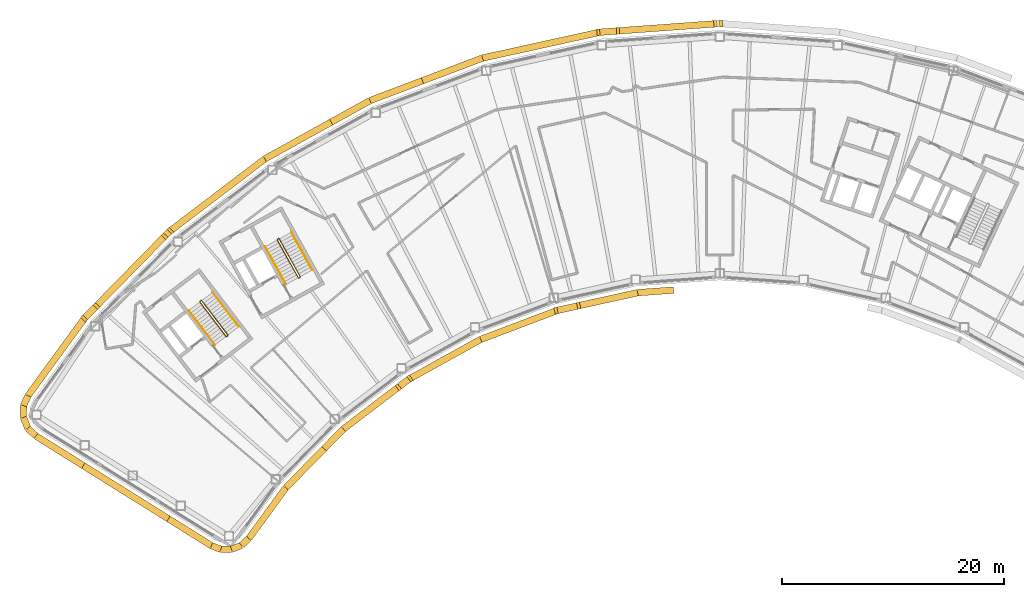
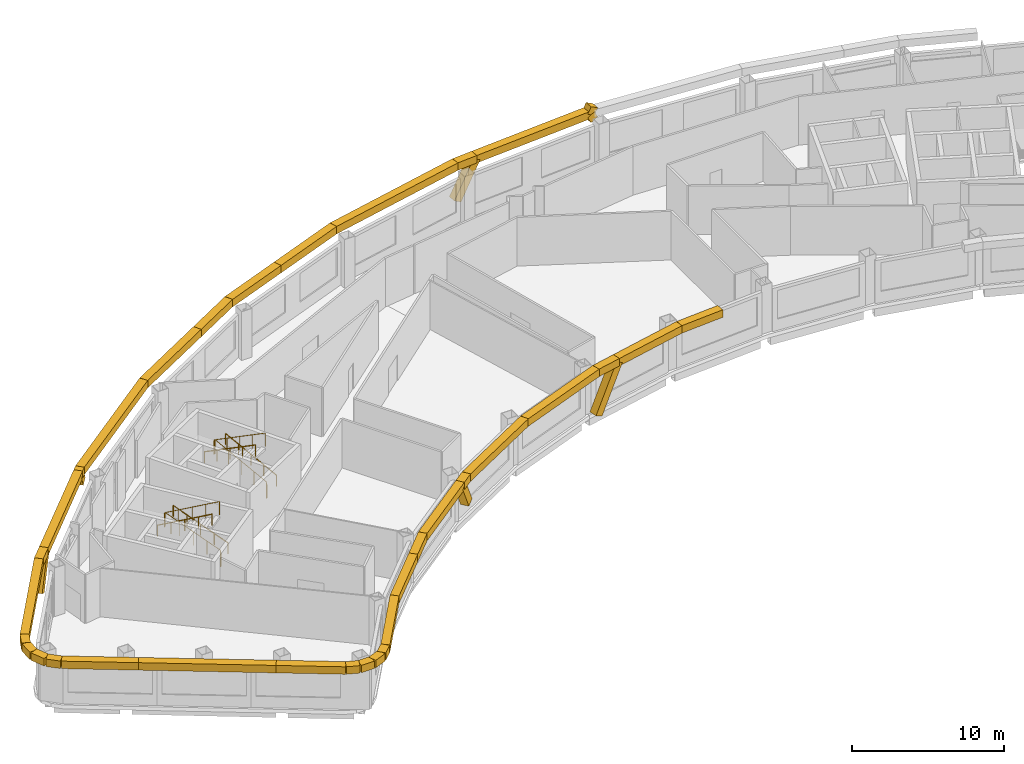
# One storey, part 12 of 13: 40 coverings, 6 railings.
"""IFC4 building model written with IfcOpenShell, lengths in metres."""

from ifc_helpers import new_model, si_unit, direction, frame, origin, origin_2d, place, context, subcontext, project, spatial, rectangle, circle, extrude, material, material_profile, profile_set, type_object, element, save


model = new_model("IFC4")

# Units and contexts
model_context = context("Model", 3, precision=1e-05, world=origin(), true_north=direction((0.0, 1.0)))
body_context = subcontext(model_context, "Body", "Model", "MODEL_VIEW")
ifc_project = project(units=[si_unit("LENGTHUNIT", "METRE"), si_unit("AREAUNIT", "SQUARE_METRE"), si_unit("VOLUMEUNIT", "CUBIC_METRE"), si_unit("PLANEANGLEUNIT", "RADIAN"), si_unit("MASSUNIT", "GRAM", prefix="KILO")], contexts=[model_context])

# Site, building, storey
site_placement = place(None, origin())
site = spatial("IfcSite", under=ifc_project, at=site_placement, CompositionType="ELEMENT")
building_placement = place(site_placement, origin())
building = spatial("IfcBuilding", under=site, at=building_placement, Name="Tuul Gate Civic Tower", CompositionType="ELEMENT")
storey_placement = place(building_placement, frame((0.0, 0.0, 252.60009765625)))
storey = spatial("IfcBuildingStorey", under=building, at=storey_placement, Name="Level 57", CompositionType="ELEMENT", Elevation=252.60009765625)

# Railings
ifc_material_1 = material(Name="Painted steel", Category="steel")
railing_type_1 = type_object("IfcRailingType", Name="Stair guard", PredefinedType="GUARDRAIL", material=ifc_material_1)
railing_1_placement = place(storey_placement, frame((-33.382080078125, -13.515380859375, 0.0)))
element("IfcRailing", 1, at=railing_1_placement, inside=storey, type_object=railing_type_1, Name="Level 57 ST-1 stair guard 1", PredefinedType="GUARDRAIL", context=body_context, shape_type="SweptSolid", body=[
    extrude(circle(Radius=0.02392578125, at=origin_2d()), frame((0.0, 0.0, 1.076171875), z_axis=(-0.795879841968, -0.605454603706, 0.0), x_axis=(0.605454603706, -0.795879841968, 0.0)), (0.0, 0.0, 1.0), 0.10009765625),
    extrude(circle(Radius=0.02392578125, at=origin_2d()), frame((-0.07958984375, -0.060546875, 1.076171875), z_axis=(0.408991890351, 0.599481263939, 0.688002796371), x_axis=(-0.826063974707, 0.563576356576, 0.0)), (0.0, 0.0, 1.0), 0.2177734375),
    extrude(circle(Radius=0.02392578125, at=origin_2d()), frame((0.009521484375, 0.070068359375, 1.22607421875), z_axis=(-0.541824460341, 0.711645023348, 0.447199748346), x_axis=(-0.795637165283, -0.60577347352, 0.0)), (0.0, 0.0, 1.0), 4.3603515625),
    extrude(circle(Radius=0.02392578125, at=origin_2d()), frame((-2.35302734375, 3.173095703125, 3.17578125), z_axis=(-0.990893089246, 0.134650977284, 0.0), x_axis=(-0.134650977284, -0.990893089246, 0.0)), (0.0, 0.0, 1.0), 0.07080078125),
    extrude(circle(Radius=0.02392578125, at=origin_2d()), frame((-2.423095703125, 3.1826171875, 3.17578125), z_axis=(-0.793802879778, -0.60817512943, 0.0), x_axis=(0.60817512943, -0.793802879778, 0.0)), (0.0, 0.0, 1.0), 0.099853515625),
    extrude(circle(Radius=0.02392578125, at=origin_2d()), frame((-2.50244140625, 3.121826171875, 3.17578125), z_axis=(-0.057370624079, -0.422188951554, 0.904690610473), x_axis=(0.990893089246, -0.134650977284, 0.0)), (0.0, 0.0, 1.0), 0.166015625),
    extrude(circle(Radius=0.02392578125, at=origin_2d()), frame((-2.511962890625, 3.0517578125, 3.326171875), z_axis=(0.541806494602, -0.71163897684, 0.447231136047), x_axis=(0.795644365679, 0.605764016233, 0.0)), (0.0, 0.0, 1.0), 4.360107421875),
    extrude(circle(Radius=0.02099609375, at=origin_2d()), origin(), (0.0, 0.0, 1.0), 1.052001953125),
    extrude(circle(Radius=0.02099609375, at=origin_2d()), frame((-0.07958984375, -0.060546875, 0.0)), (0.0, 0.0, 1.0), 1.052001953125),
    extrude(circle(Radius=0.02099609375, at=origin_2d()), frame((0.009521484375, 0.070068359375, 0.14990234375)), (0.0, 0.0, 1.0), 1.052001953125),
    extrude(circle(Radius=0.02099609375, at=origin_2d()), frame((-0.5810546875, 0.845703125, 0.637451171875)), (0.0, 0.0, 1.0), 1.052001953125),
    extrude(circle(Radius=0.02099609375, at=origin_2d()), frame((-1.171875, 1.62158203125, 1.125)), (0.0, 0.0, 1.0), 1.052001953125),
    extrude(circle(Radius=0.02099609375, at=origin_2d()), frame((-1.762451171875, 2.3974609375, 1.6123046875)), (0.0, 0.0, 1.0), 1.052001953125),
    extrude(circle(Radius=0.02099609375, at=origin_2d()), frame((-2.35302734375, 3.173095703125, 2.099853515625)), (0.0, 0.0, 1.0), 1.052001953125),
    extrude(circle(Radius=0.02099609375, at=origin_2d()), frame((-2.423095703125, 3.1826171875, 2.099853515625)), (0.0, 0.0, 1.0), 1.052001953125),
    extrude(circle(Radius=0.02099609375, at=origin_2d()), frame((-2.50244140625, 3.121826171875, 2.099853515625)), (0.0, 0.0, 1.0), 1.052001953125),
    extrude(circle(Radius=0.02099609375, at=origin_2d()), frame((-2.511962890625, 3.0517578125, 2.25)), (0.0, 0.0, 1.0), 1.052001953125),
    extrude(circle(Radius=0.02099609375, at=origin_2d()), frame((-1.92138671875, 2.276123046875, 2.737548828125)), (0.0, 0.0, 1.0), 1.052001953125),
    extrude(circle(Radius=0.02099609375, at=origin_2d()), frame((-1.330810546875, 1.50048828125, 3.22509765625)), (0.0, 0.0, 1.0), 1.052001953125),
    extrude(circle(Radius=0.02099609375, at=origin_2d()), frame((-0.740234375, 0.724609375, 3.71240234375)), (0.0, 0.0, 1.0), 1.052001953125),
    extrude(circle(Radius=0.02099609375, at=origin_2d()), frame((-0.149658203125, -0.051025390625, 4.199951171875)), (0.0, 0.0, 1.0), 1.052001953125),
])
railing_2_placement = place(storey_placement, frame((-26.857666015625, -8.247314453125, 0.0)))
element("IfcRailing", 2, at=railing_2_placement, inside=storey, type_object=railing_type_1, Name="Level 57 ST-2 stair guard 1", PredefinedType="GUARDRAIL", context=body_context, shape_type="SweptSolid", body=[
    extrude(circle(Radius=0.02392578125, at=origin_2d()), frame((0.0, 0.0, 1.076171875), z_axis=(-0.874616555828, -0.48481530532, 0.0), x_axis=(0.48481530532, -0.874616555828, 0.0)), (0.0, 0.0, 1.0), 0.10009765625),
    extrude(circle(Radius=0.02392578125, at=origin_2d()), frame((-0.087646484375, -0.048583984375, 1.076171875), z_axis=(0.49081399482, 0.534516610797, 0.688036056665), x_axis=(-0.736576986774, 0.676353711126, 0.0)), (0.0, 0.0, 1.0), 0.2177734375),
    extrude(circle(Radius=0.02392578125, at=origin_2d()), frame((0.019287109375, 0.06787109375, 1.22607421875), z_axis=(-0.43354991378, 0.782327185242, 0.447212083348), x_axis=(-0.874667644053, -0.484723129681, 0.0)), (0.0, 0.0, 1.0), 4.3603515625),
    extrude(circle(Radius=0.02392578125, at=origin_2d()), frame((-1.87109375, 3.47900390625, 3.17578125), z_axis=(-0.961263487578, 0.275631107549, 0.0), x_axis=(-0.275631107549, -0.961263487578, 0.0)), (0.0, 0.0, 1.0), 0.07080078125),
    extrude(circle(Radius=0.02392578125, at=origin_2d()), frame((-1.939208984375, 3.49853515625, 3.17578125), z_axis=(-0.874042088414, -0.485850211157, 0.0), x_axis=(0.485850211157, -0.874042088414, 0.0)), (0.0, 0.0, 1.0), 0.10009765625),
    extrude(circle(Radius=0.02392578125, at=origin_2d()), frame((-2.026611328125, 3.449951171875, 3.17578125), z_axis=(-0.117709570447, -0.409040757305, 0.904892322815), x_axis=(0.961000426733, -0.276546885391, 0.0)), (0.0, 0.0, 1.0), 0.166015625),
    extrude(circle(Radius=0.02392578125, at=origin_2d()), frame((-2.046142578125, 3.382080078125, 3.326171875), z_axis=(0.433595379963, -0.782308193291, 0.447201226726), x_axis=(0.874641102302, 0.484771020343, 0.0)), (0.0, 0.0, 1.0), 4.3603515625),
    extrude(circle(Radius=0.02099609375, at=origin_2d()), origin(), (0.0, 0.0, 1.0), 1.052001953125),
    extrude(circle(Radius=0.02099609375, at=origin_2d()), frame((-0.087646484375, -0.048583984375, 0.0)), (0.0, 0.0, 1.0), 1.052001953125),
    extrude(circle(Radius=0.02099609375, at=origin_2d()), frame((0.019287109375, 0.06787109375, 0.14990234375)), (0.0, 0.0, 1.0), 1.052001953125),
    extrude(circle(Radius=0.02099609375, at=origin_2d()), frame((-0.453369140625, 0.920654296875, 0.637451171875)), (0.0, 0.0, 1.0), 1.052001953125),
    extrude(circle(Radius=0.02099609375, at=origin_2d()), frame((-0.92578125, 1.7734375, 1.125)), (0.0, 0.0, 1.0), 1.052001953125),
    extrude(circle(Radius=0.02099609375, at=origin_2d()), frame((-1.3984375, 2.626220703125, 1.6123046875)), (0.0, 0.0, 1.0), 1.052001953125),
    extrude(circle(Radius=0.02099609375, at=origin_2d()), frame((-1.87109375, 3.47900390625, 2.099853515625)), (0.0, 0.0, 1.0), 1.052001953125),
    extrude(circle(Radius=0.02099609375, at=origin_2d()), frame((-1.939208984375, 3.49853515625, 2.099853515625)), (0.0, 0.0, 1.0), 1.052001953125),
    extrude(circle(Radius=0.02099609375, at=origin_2d()), frame((-2.026611328125, 3.449951171875, 2.099853515625)), (0.0, 0.0, 1.0), 1.052001953125),
    extrude(circle(Radius=0.02099609375, at=origin_2d()), frame((-2.046142578125, 3.382080078125, 2.25)), (0.0, 0.0, 1.0), 1.052001953125),
    extrude(circle(Radius=0.02099609375, at=origin_2d()), frame((-1.573486328125, 2.529296875, 2.737548828125)), (0.0, 0.0, 1.0), 1.052001953125),
    extrude(circle(Radius=0.02099609375, at=origin_2d()), frame((-1.100830078125, 1.676513671875, 3.22509765625)), (0.0, 0.0, 1.0), 1.052001953125),
    extrude(circle(Radius=0.02099609375, at=origin_2d()), frame((-0.628173828125, 0.82373046875, 3.71240234375)), (0.0, 0.0, 1.0), 1.052001953125),
    extrude(circle(Radius=0.02099609375, at=origin_2d()), frame((-0.155517578125, -0.029052734375, 4.199951171875)), (0.0, 0.0, 1.0), 1.052001953125),
])
ifc_material_2 = material(Name="Painted steel", Category="steel")
railing_type_2 = type_object("IfcRailingType", Name="Stair handrail", PredefinedType="HANDRAIL", material=ifc_material_2)
railing_3_placement = place(storey_placement, frame((-32.3779296875, -12.688232421875, 0.14990234375)))
element("IfcRailing", 3, at=railing_3_placement, inside=storey, type_object=railing_type_2, Name="Level 57 ST-1 stair handrail 1", PredefinedType="HANDRAIL", context=body_context, shape_type="SweptSolid", body=[
    extrude(circle(Radius=0.02392578125, at=origin_2d()), frame((0.0, 0.0, 0.8759765625), z_axis=(-0.541824460341, 0.711645023348, 0.447199748346), x_axis=(-0.795637165283, -0.60577347352, 0.0)), (0.0, 0.0, 1.0), 4.3603515625),
    extrude(circle(Radius=0.02099609375, at=origin_2d()), origin(), (0.0, 0.0, 1.0), 0.851806640625),
    extrude(circle(Radius=0.02099609375, at=origin_2d()), frame((-0.590576171875, 0.77587890625, 0.487548828125)), (0.0, 0.0, 1.0), 0.851806640625),
    extrude(circle(Radius=0.02099609375, at=origin_2d()), frame((-1.18115234375, 1.551513671875, 0.97509765625)), (0.0, 0.0, 1.0), 0.851806640625),
    extrude(circle(Radius=0.02099609375, at=origin_2d()), frame((-1.77197265625, 2.3271484375, 1.46240234375)), (0.0, 0.0, 1.0), 0.851806640625),
    extrude(circle(Radius=0.02099609375, at=origin_2d()), frame((-2.362548828125, 3.10302734375, 1.949951171875)), (0.0, 0.0, 1.0), 0.851806640625),
])
railing_4_placement = place(storey_placement, frame((-36.888671875, -11.220703125, 2.25)))
element("IfcRailing", 4, at=railing_4_placement, inside=storey, type_object=railing_type_2, Name="Level 57 ST-1 stair handrail 2", PredefinedType="HANDRAIL", context=body_context, shape_type="SweptSolid", body=[
    extrude(circle(Radius=0.02392578125, at=origin_2d()), frame((0.0, 0.0, 0.8759765625), z_axis=(0.541824460341, -0.711645023348, 0.447199748346), x_axis=(0.795637165283, 0.60577347352, 0.0)), (0.0, 0.0, 1.0), 4.3603515625),
    extrude(circle(Radius=0.02099609375, at=origin_2d()), origin(), (0.0, 0.0, 1.0), 0.851806640625),
    extrude(circle(Radius=0.02099609375, at=origin_2d()), frame((0.590576171875, -0.77587890625, 0.487548828125)), (0.0, 0.0, 1.0), 0.851806640625),
    extrude(circle(Radius=0.02099609375, at=origin_2d()), frame((1.18115234375, -1.551513671875, 0.97509765625)), (0.0, 0.0, 1.0), 0.851806640625),
    extrude(circle(Radius=0.02099609375, at=origin_2d()), frame((1.77197265625, -2.3271484375, 1.46240234375)), (0.0, 0.0, 1.0), 0.851806640625),
    extrude(circle(Radius=0.02099609375, at=origin_2d()), frame((2.362548828125, -3.10302734375, 1.949951171875)), (0.0, 0.0, 1.0), 0.851806640625),
])
railing_5_placement = place(storey_placement, frame((-25.744873046875, -7.573486328125, 0.14990234375)))
element("IfcRailing", 5, at=railing_5_placement, inside=storey, type_object=railing_type_2, Name="Level 57 ST-2 stair handrail 1", PredefinedType="HANDRAIL", context=body_context, shape_type="SweptSolid", body=[
    extrude(circle(Radius=0.02392578125, at=origin_2d()), frame((0.0, 0.0, 0.8759765625), z_axis=(-0.433595379963, 0.782308193291, 0.447201226726), x_axis=(-0.874641102302, -0.484771020343, 0.0)), (0.0, 0.0, 1.0), 4.3603515625),
    extrude(circle(Radius=0.02099609375, at=origin_2d()), origin(), (0.0, 0.0, 1.0), 0.851806640625),
    extrude(circle(Radius=0.02099609375, at=origin_2d()), frame((-0.47265625, 0.852783203125, 0.487548828125)), (0.0, 0.0, 1.0), 0.851806640625),
    extrude(circle(Radius=0.02099609375, at=origin_2d()), frame((-0.9453125, 1.70556640625, 0.97509765625)), (0.0, 0.0, 1.0), 0.851806640625),
    extrude(circle(Radius=0.02099609375, at=origin_2d()), frame((-1.41796875, 2.558349609375, 1.46240234375)), (0.0, 0.0, 1.0), 0.851806640625),
    extrude(circle(Radius=0.02099609375, at=origin_2d()), frame((-1.890625, 3.4111328125, 1.949951171875)), (0.0, 0.0, 1.0), 0.851806640625),
])
railing_6_placement = place(storey_placement, frame((-29.9970703125, -5.47119140625, 2.25)))
element("IfcRailing", 6, at=railing_6_placement, inside=storey, type_object=railing_type_2, Name="Level 57 ST-2 stair handrail 2", PredefinedType="HANDRAIL", context=body_context, shape_type="SweptSolid", body=[
    extrude(circle(Radius=0.02392578125, at=origin_2d()), frame((0.0, 0.0, 0.8759765625), z_axis=(0.433595379963, -0.782308193291, 0.447201226726), x_axis=(0.874641102302, 0.484771020343, 0.0)), (0.0, 0.0, 1.0), 4.3603515625),
    extrude(circle(Radius=0.02099609375, at=origin_2d()), origin(), (0.0, 0.0, 1.0), 0.851806640625),
    extrude(circle(Radius=0.02099609375, at=origin_2d()), frame((0.47265625, -0.852783203125, 0.487548828125)), (0.0, 0.0, 1.0), 0.851806640625),
    extrude(circle(Radius=0.02099609375, at=origin_2d()), frame((0.9453125, -1.70556640625, 0.97509765625)), (0.0, 0.0, 1.0), 0.851806640625),
    extrude(circle(Radius=0.02099609375, at=origin_2d()), frame((1.41796875, -2.558349609375, 1.46240234375)), (0.0, 0.0, 1.0), 0.851806640625),
    extrude(circle(Radius=0.02099609375, at=origin_2d()), frame((1.890625, -3.4111328125, 1.949951171875)), (0.0, 0.0, 1.0), 0.851806640625),
])

# Coverings
ifc_material_3 = material(Name="Terracotta baguette", Category="masonry")
ifc_material_profile = material_profile(ifc_material_3, rectangle(XDim=0.60009765625, YDim=0.60009765625, at=origin_2d()), Name="Terracotta baguette screen frame")
ifc_profile_set = profile_set([ifc_material_profile], Name="Terracotta baguette")
covering_type = type_object("IfcCoveringType", Name="Terracotta baguette screen frame", PredefinedType="CLADDING", material=ifc_profile_set)
for number, where, z_axis, x_axis, name in (
    (7, (11.031005859375, 14.677001953125, 4.34912109375), (-0.473767502514, -0.034424523343, -0.879976877966), (0.072470160291, -0.997370581012, 0.0), "Baguette 70"),
    (8, (10.76220703125, 14.657470703125, 3.849853515625), (0.473767502514, 0.034424523343, -0.879976877966), (-0.072470160291, 0.997370581012, 0.0), "Baguette 73"),
):
    element("IfcCovering", number, at=place(storey_placement, frame(where, z_axis=z_axis, x_axis=x_axis)), inside=storey, type_object=covering_type, Name=name, PredefinedType="CLADDING", context=body_context, shape_type="SweptSolid", body=[
        extrude(rectangle(XDim=0.60009765625, YDim=0.60009765625, at=origin_2d()), origin(), (0.0, 0.0, 1.0), 0.5673828125),
    ])
covering_1_placement = place(storey_placement, frame((10.76220703125, 14.657470703125, 3.849853515625), z_axis=(-0.997388280851, -0.072226153297, 0.0), x_axis=(0.072226153297, -0.997388280851, 0.0)))
element("IfcCovering", 9, at=covering_1_placement, inside=storey, type_object=covering_type, Name="Baguette 75", PredefinedType="CLADDING", context=body_context, shape_type="SweptSolid", body=[
    extrude(rectangle(XDim=0.60009765625, YDim=0.60009765625, at=origin_2d()), origin(), (0.0, 0.0, 1.0), 9.072509765625),
])
covering_2_placement = place(storey_placement, frame((1.71337890625, 14.002197265625, 3.849853515625), z_axis=(-0.473975845679, -0.034349416832, -0.879867612358), x_axis=(0.072281254419, -0.997384289158, 0.0)))
element("IfcCovering", 10, at=covering_2_placement, inside=storey, type_object=covering_type, Name="Baguette 79", PredefinedType="CLADDING", context=body_context, shape_type="SweptSolid", body=[
    extrude(rectangle(XDim=0.60009765625, YDim=0.60009765625, at=origin_2d()), origin(), (0.0, 0.0, 1.0), 3.177001953125),
])
covering_3_placement = place(storey_placement, frame((-15.79931640625, 9.511474609375, 3.849853515625), z_axis=(-0.935339269732, -0.353751961829, 0.0), x_axis=(0.353751961829, -0.935339269732, 0.0)))
element("IfcCovering", 11, at=covering_3_placement, inside=storey, type_object=covering_type, Name="Baguette 96", PredefinedType="CLADDING", context=body_context, shape_type="SweptSolid", body=[
    extrude(rectangle(XDim=0.60009765625, YDim=0.60009765625, at=origin_2d()), origin(), (0.0, 0.0, 1.0), 5.06640625),
])
covering_4_placement = place(storey_placement, frame((-20.5380859375, 7.71923828125, 3.849853515625), z_axis=(-0.874631167379, -0.484788944851, 0.0), x_axis=(0.484788944851, -0.874631167379, 0.0)))
element("IfcCovering", 12, at=covering_4_placement, inside=storey, type_object=covering_type, Name="Baguette 97", PredefinedType="CLADDING", context=body_context, shape_type="SweptSolid", body=[
    extrude(rectangle(XDim=0.60009765625, YDim=0.60009765625, at=origin_2d()), origin(), (0.0, 0.0, 1.0), 4.006103515625),
])
covering_5_placement = place(storey_placement, frame((-38.976806640625, -4.434814453125, 3.849853515625), z_axis=(0.332661950864, 0.339382394315, -0.879861134996), x_axis=(-0.714142142784, 0.700000714214, 0.0)))
element("IfcCovering", 13, at=covering_5_placement, inside=storey, type_object=covering_type, Name="Baguette 115", PredefinedType="CLADDING", context=body_context, shape_type="SweptSolid", body=[
    extrude(rectangle(XDim=0.60009765625, YDim=0.60009765625, at=origin_2d()), origin(), (0.0, 0.0, 1.0), 0.944580078125),
])
covering_6_placement = place(storey_placement, frame((-38.976806640625, -4.434814453125, 3.849853515625), z_axis=(-0.69999391998, -0.714148802415, 0.0), x_axis=(0.714148802415, -0.69999391998, 0.0)))
element("IfcCovering", 14, at=covering_6_placement, inside=storey, type_object=covering_type, Name="Baguette 117", PredefinedType="CLADDING", context=body_context, shape_type="SweptSolid", body=[
    extrude(rectangle(XDim=0.60009765625, YDim=0.60009765625, at=origin_2d()), origin(), (0.0, 0.0, 1.0), 9.072265625),
])
covering_7_placement = place(storey_placement, frame((-45.327392578125, -10.913818359375, 3.849853515625), z_axis=(-0.332603463644, -0.339318321196, -0.879907957046), x_axis=(0.714137600713, -0.700005348013, 0.0)))
element("IfcCovering", 15, at=covering_7_placement, inside=storey, type_object=covering_type, Name="Baguette 121", PredefinedType="CLADDING", context=body_context, shape_type="SweptSolid", body=[
    extrude(rectangle(XDim=0.60009765625, YDim=0.60009765625, at=origin_2d()), origin(), (0.0, 0.0, 1.0), 2.799560546875),
])
covering_8_placement = place(storey_placement, frame((-46.413818359375, -25.236328125, 3.849853515625), z_axis=(0.848031633403, -0.529945609235, 0.0), x_axis=(0.529945609235, 0.848031633403, 0.0)))
element("IfcCovering", 16, at=covering_8_placement, inside=storey, type_object=covering_type, Name="Baguette 150", PredefinedType="CLADDING", context=body_context, shape_type="SweptSolid", body=[
    extrude(rectangle(XDim=0.60009765625, YDim=0.60009765625, at=origin_2d()), origin(), (0.0, 0.0, 1.0), 9.052978515625),
])
covering_9_placement = place(storey_placement, frame((-24.676513671875, -23.702880859375, 3.849853515625), z_axis=(0.70003698075, 0.714106592591, 0.0), x_axis=(-0.714106592591, 0.70003698075, 0.0)))
element("IfcCovering", 17, at=covering_9_placement, inside=storey, type_object=covering_type, Name="Baguette 181", PredefinedType="CLADDING", context=body_context, shape_type="SweptSolid", body=[
    extrude(rectangle(XDim=0.60009765625, YDim=0.60009765625, at=origin_2d()), origin(), (0.0, 0.0, 1.0), 2.4814453125),
])
covering_10_placement = place(storey_placement, frame((-22.939453125, -21.930908203125, 3.849853515625), z_axis=(0.795633135366, 0.605778766472, 0.0), x_axis=(-0.605778766472, 0.795633135366, 0.0)))
element("IfcCovering", 18, at=covering_10_placement, inside=storey, type_object=covering_type, Name="Baguette 182", PredefinedType="CLADDING", context=body_context, shape_type="SweptSolid", body=[
    extrude(rectangle(XDim=0.60009765625, YDim=0.60009765625, at=origin_2d()), origin(), (0.0, 0.0, 1.0), 6.37060546875),
])
covering_11_placement = place(storey_placement, frame((-17.870849609375, -18.07177734375, 3.849853515625), z_axis=(0.370916914487, 0.282427357513, -0.884678150672), x_axis=(-0.605804319563, 0.795613679118, 0.0)))
element("IfcCovering", 19, at=covering_11_placement, inside=storey, type_object=covering_type, Name="Baguette 186", PredefinedType="CLADDING", context=body_context, shape_type="SweptSolid", body=[
    extrude(rectangle(XDim=0.60009765625, YDim=0.60009765625, at=origin_2d()), origin(), (0.0, 0.0, 1.0), 2.245849609375),
])
covering_12_placement = place(storey_placement, frame((-1.83349609375, -10.8251953125, 3.849853515625), z_axis=(-0.455231406163, -0.100259669846, -0.884710328551), x_axis=(0.215084326604, -0.976595480457, 0.0)))
element("IfcCovering", 20, at=covering_12_placement, inside=storey, type_object=covering_type, Name="Baguette 204", PredefinedType="CLADDING", context=body_context, shape_type="SweptSolid", body=[
    extrude(rectangle(XDim=0.60009765625, YDim=0.60009765625, at=origin_2d()), origin(), (0.0, 0.0, 1.0), 3.90576171875),
])
covering_13_placement = place(storey_placement, frame((-1.83349609375, -10.8251953125, 3.849853515625), z_axis=(0.976583648021, 0.215138045026, 0.0), x_axis=(-0.215138045026, 0.976583648021, 0.0)))
element("IfcCovering", 21, at=covering_13_placement, inside=storey, type_object=covering_type, Name="Baguette 206", PredefinedType="CLADDING", context=body_context, shape_type="SweptSolid", body=[
    extrude(rectangle(XDim=0.60009765625, YDim=0.60009765625, at=origin_2d()), origin(), (0.0, 0.0, 1.0), 5.596923828125),
])
covering_14_placement = place(storey_placement, frame((3.63232421875, -9.62109375, 3.849853515625), z_axis=(0.997382758328, 0.07230237472, 0.0), x_axis=(-0.07230237472, 0.997382758328, 0.0)))
element("IfcCovering", 22, at=covering_14_placement, inside=storey, type_object=covering_type, Name="Baguette 207", PredefinedType="CLADDING", context=body_context, shape_type="SweptSolid", body=[
    extrude(rectangle(XDim=0.60009765625, YDim=0.60009765625, at=origin_2d()), origin(), (0.0, 0.0, 1.0), 3.255126953125),
])
covering_15_placement = place(storey_placement, frame((1.71337890625, 14.002197265625, 3.849853515625), z_axis=(-0.997384289158, -0.072281254419, 0.0), x_axis=(0.072281254419, -0.997384289158, 0.0)))
element("IfcCovering", 23, at=covering_15_placement, inside=storey, type_object=covering_type, Name="Baguette 311", PredefinedType="CLADDING", context=body_context, shape_type="SweptSolid", body=[
    extrude(rectangle(XDim=0.60009765625, YDim=0.60009765625, at=origin_2d()), origin(), (0.0, 0.0, 1.0), 1.509765625),
])
covering_16_placement = place(storey_placement, frame((0.20751953125, 13.89306640625, 3.849853515625), z_axis=(-0.976560440974, -0.215243362557, 0.0), x_axis=(0.215243362557, -0.976560440974, 0.0)))
element("IfcCovering", 24, at=covering_16_placement, inside=storey, type_object=covering_type, Name="Baguette 312", PredefinedType="CLADDING", context=body_context, shape_type="SweptSolid", body=[
    extrude(rectangle(XDim=0.60009765625, YDim=0.60009765625, at=origin_2d()), origin(), (0.0, 0.0, 1.0), 10.850341796875),
])
covering_17_placement = place(storey_placement, frame((-10.388427734375, 11.5576171875, 3.849853515625), z_axis=(-0.935356084004, -0.353707500791, 0.0), x_axis=(0.353707500791, -0.935356084004, 0.0)))
element("IfcCovering", 25, at=covering_17_placement, inside=storey, type_object=covering_type, Name="Baguette 313", PredefinedType="CLADDING", context=body_context, shape_type="SweptSolid", body=[
    extrude(rectangle(XDim=0.60009765625, YDim=0.60009765625, at=origin_2d()), origin(), (0.0, 0.0, 1.0), 5.784912109375),
])
covering_18_placement = place(storey_placement, frame((-24.0419921875, 5.777099609375, 3.849853515625), z_axis=(-0.874624559601, -0.484800866071, 0.0), x_axis=(0.484800866071, -0.874624559601, 0.0)))
element("IfcCovering", 26, at=covering_18_placement, inside=storey, type_object=covering_type, Name="Baguette 319", PredefinedType="CLADDING", context=body_context, shape_type="SweptSolid", body=[
    extrude(rectangle(XDim=0.60009765625, YDim=0.60009765625, at=origin_2d()), origin(), (0.0, 0.0, 1.0), 6.84521484375),
])
covering_19_placement = place(storey_placement, frame((-30.029052734375, 2.45849609375, 3.849853515625), z_axis=(-0.795662019665, -0.605740827798, 0.0), x_axis=(0.605740827798, -0.795662019665, 0.0)))
element("IfcCovering", 27, at=covering_19_placement, inside=storey, type_object=covering_type, Name="Baguette 320", PredefinedType="CLADDING", context=body_context, shape_type="SweptSolid", body=[
    extrude(rectangle(XDim=0.60009765625, YDim=0.60009765625, at=origin_2d()), origin(), (0.0, 0.0, 1.0), 10.850830078125),
])
covering_20_placement = place(storey_placement, frame((-38.66259765625, -4.1142578125, 3.849853515625), z_axis=(-0.700000714214, -0.714142142784, 0.0), x_axis=(0.714142142784, -0.700000714214, 0.0)))
element("IfcCovering", 28, at=covering_20_placement, inside=storey, type_object=covering_type, Name="Baguette 321", PredefinedType="CLADDING", context=body_context, shape_type="SweptSolid", body=[
    extrude(rectangle(XDim=0.60009765625, YDim=0.60009765625, at=origin_2d()), origin(), (0.0, 0.0, 1.0), 0.448974609375),
])
covering_21_placement = place(storey_placement, frame((-45.327392578125, -10.913818359375, 3.849853515625), z_axis=(-0.700005348013, -0.714137600713, 0.0), x_axis=(0.714137600713, -0.700005348013, 0.0)))
element("IfcCovering", 29, at=covering_21_placement, inside=storey, type_object=covering_type, Name="Baguette 322", PredefinedType="CLADDING", context=body_context, shape_type="SweptSolid", body=[
    extrude(rectangle(XDim=0.60009765625, YDim=0.60009765625, at=origin_2d()), origin(), (0.0, 0.0, 1.0), 1.330322265625),
])
covering_22_placement = place(storey_placement, frame((-46.258544921875, -11.86376953125, 3.849853515625), z_axis=(-0.589817537275, -0.80753654575, 0.0), x_axis=(0.80753654575, -0.589817537275, 0.0)))
element("IfcCovering", 30, at=covering_22_placement, inside=storey, type_object=covering_type, Name="Baguette 323", PredefinedType="CLADDING", context=body_context, shape_type="SweptSolid", body=[
    extrude(rectangle(XDim=0.60009765625, YDim=0.60009765625, at=origin_2d()), origin(), (0.0, 0.0, 1.0), 8.734130859375),
])
covering_23_placement = place(storey_placement, frame((-51.41015625, -18.9169921875, 3.849853515625), z_axis=(-0.4130215853, -0.910721236206, 0.0), x_axis=(0.910721236206, -0.4130215853, 0.0)))
element("IfcCovering", 31, at=covering_23_placement, inside=storey, type_object=covering_type, Name="Baguette 324", PredefinedType="CLADDING", context=body_context, shape_type="SweptSolid", body=[
    extrude(rectangle(XDim=0.60009765625, YDim=0.60009765625, at=origin_2d()), origin(), (0.0, 0.0, 1.0), 0.989013671875),
])
covering_24_placement = place(storey_placement, frame((-51.818603515625, -19.817626953125, 3.849853515625), z_axis=(-0.014650442147, -0.999892676513, 0.0), x_axis=(0.999892676513, -0.014650442147, 0.0)))
element("IfcCovering", 32, at=covering_24_placement, inside=storey, type_object=covering_type, Name="Baguette 325", PredefinedType="CLADDING", context=body_context, shape_type="SweptSolid", body=[
    extrude(rectangle(XDim=0.60009765625, YDim=0.60009765625, at=origin_2d()), origin(), (0.0, 0.0, 1.0), 1.06640625),
])
covering_25_placement = place(storey_placement, frame((-51.834228515625, -20.884033203125, 3.849853515625), z_axis=(0.385378072861, -0.922758766394, 0.0), x_axis=(0.922758766394, 0.385378072861, 0.0)))
element("IfcCovering", 33, at=covering_25_placement, inside=storey, type_object=covering_type, Name="Baguette 326", PredefinedType="CLADDING", context=body_context, shape_type="SweptSolid", body=[
    extrude(rectangle(XDim=0.60009765625, YDim=0.60009765625, at=origin_2d()), origin(), (0.0, 0.0, 1.0), 1.068115234375),
])
covering_26_placement = place(storey_placement, frame((-51.422607421875, -21.86962890625, 3.849853515625), z_axis=(0.722749211147, -0.69111039479, 0.0), x_axis=(0.69111039479, 0.722749211147, 0.0)))
element("IfcCovering", 34, at=covering_26_placement, inside=storey, type_object=covering_type, Name="Baguette 327", PredefinedType="CLADDING", context=body_context, shape_type="SweptSolid", body=[
    extrude(rectangle(XDim=0.60009765625, YDim=0.60009765625, at=origin_2d()), origin(), (0.0, 0.0, 1.0), 0.98779296875),
])
covering_27_placement = place(storey_placement, frame((-50.708740234375, -22.55224609375, 3.849853515625), z_axis=(0.848019968404, -0.529964275388, 0.0), x_axis=(0.529964275388, 0.848019968404, 0.0)))
element("IfcCovering", 35, at=covering_27_placement, inside=storey, type_object=covering_type, Name="Baguette 328", PredefinedType="CLADDING", context=body_context, shape_type="SweptSolid", body=[
    extrude(rectangle(XDim=0.60009765625, YDim=0.60009765625, at=origin_2d()), origin(), (0.0, 0.0, 1.0), 5.064697265625),
])
covering_28_placement = place(storey_placement, frame((-38.736572265625, -30.033935546875, 3.849853515625), z_axis=(0.848046231168, -0.529922248827, 0.0), x_axis=(0.529922248827, 0.848046231168, 0.0)))
element("IfcCovering", 36, at=covering_28_placement, inside=storey, type_object=covering_type, Name="Baguette 330", PredefinedType="CLADDING", context=body_context, shape_type="SweptSolid", body=[
    extrude(rectangle(XDim=0.60009765625, YDim=0.60009765625, at=origin_2d()), origin(), (0.0, 0.0, 1.0), 4.57861328125),
])
covering_29_placement = place(storey_placement, frame((-34.853759765625, -32.460205078125, 3.849853515625), z_axis=(0.93181662135, -0.362929447932, 0.0), x_axis=(0.362929447932, 0.93181662135, 0.0)))
element("IfcCovering", 37, at=covering_29_placement, inside=storey, type_object=covering_type, Name="Baguette 331", PredefinedType="CLADDING", context=body_context, shape_type="SweptSolid", body=[
    extrude(rectangle(XDim=0.60009765625, YDim=0.60009765625, at=origin_2d()), origin(), (0.0, 0.0, 1.0), 0.902099609375),
])
covering_30_placement = place(storey_placement, frame((-34.01318359375, -32.78759765625, 3.849853515625), z_axis=(0.999990900757, 0.004265958673, 0.0), x_axis=(-0.004265958673, 0.999990900757, 0.0)))
element("IfcCovering", 38, at=covering_30_placement, inside=storey, type_object=covering_type, Name="Baguette 332", PredefinedType="CLADDING", context=body_context, shape_type="SweptSolid", body=[
    extrude(rectangle(XDim=0.60009765625, YDim=0.60009765625, at=origin_2d()), origin(), (0.0, 0.0, 1.0), 0.972900390625),
])
covering_31_placement = place(storey_placement, frame((-33.040283203125, -32.783447265625, 3.849853515625), z_axis=(0.929665294904, 0.368405265232, 0.0), x_axis=(-0.368405265232, 0.929665294904, 0.0)))
element("IfcCovering", 39, at=covering_31_placement, inside=storey, type_object=covering_type, Name="Baguette 333", PredefinedType="CLADDING", context=body_context, shape_type="SweptSolid", body=[
    extrude(rectangle(XDim=0.60009765625, YDim=0.60009765625, at=origin_2d()), origin(), (0.0, 0.0, 1.0), 0.973388671875),
])
covering_32_placement = place(storey_placement, frame((-32.13525390625, -32.4248046875, 3.849853515625), z_axis=(0.730001285686, 0.683445771731, 0.0), x_axis=(-0.683445771731, 0.730001285686, 0.0)))
element("IfcCovering", 40, at=covering_32_placement, inside=storey, type_object=covering_type, Name="Baguette 334", PredefinedType="CLADDING", context=body_context, shape_type="SweptSolid", body=[
    extrude(rectangle(XDim=0.60009765625, YDim=0.60009765625, at=origin_2d()), origin(), (0.0, 0.0, 1.0), 0.902099609375),
])
covering_33_placement = place(storey_placement, frame((-31.476806640625, -31.808349609375, 3.849853515625), z_axis=(0.589729447422, 0.807600878432, 0.0), x_axis=(-0.807600878432, 0.589729447422, 0.0)))
element("IfcCovering", 41, at=covering_33_placement, inside=storey, type_object=covering_type, Name="Baguette 335", PredefinedType="CLADDING", context=body_context, shape_type="SweptSolid", body=[
    extrude(rectangle(XDim=0.60009765625, YDim=0.60009765625, at=origin_2d()), origin(), (0.0, 0.0, 1.0), 5.671142578125),
])
covering_34_placement = place(storey_placement, frame((-28.13232421875, -27.228271484375, 3.849853515625), z_axis=(0.700024437116, 0.71411888887, 0.0), x_axis=(-0.71411888887, 0.700024437116, 0.0)))
element("IfcCovering", 42, at=covering_34_placement, inside=storey, type_object=covering_type, Name="Baguette 336", PredefinedType="CLADDING", context=body_context, shape_type="SweptSolid", body=[
    extrude(rectangle(XDim=0.60009765625, YDim=0.60009765625, at=origin_2d()), origin(), (0.0, 0.0, 1.0), 4.936767578125),
])
covering_35_placement = place(storey_placement, frame((-17.870849609375, -18.07177734375, 3.849853515625), z_axis=(0.795613679118, 0.605804319563, 0.0), x_axis=(-0.605804319563, 0.795613679118, 0.0)))
element("IfcCovering", 43, at=covering_35_placement, inside=storey, type_object=covering_type, Name="Baguette 344", PredefinedType="CLADDING", context=body_context, shape_type="SweptSolid", body=[
    extrude(rectangle(XDim=0.60009765625, YDim=0.60009765625, at=origin_2d()), origin(), (0.0, 0.0, 1.0), 1.047119140625),
])
for number, where, z_axis, x_axis, name in (
    (44, (-17.037841796875, -17.4375, 3.849853515625), (0.874630355477, 0.48479040964, 0.0), (-0.48479040964, 0.874630355477, 0.0), "Baguette 345"),
    (45, (-10.5498046875, -13.84130859375, 3.849853515625), (0.935320405664, 0.353801835423, 0.0), (-0.353801835423, 0.935320405664, 0.0), "Baguette 346"),
):
    element("IfcCovering", number, at=place(storey_placement, frame(where, z_axis=z_axis, x_axis=x_axis)), inside=storey, type_object=covering_type, Name=name, PredefinedType="CLADDING", context=body_context, shape_type="SweptSolid", body=[
        extrude(rectangle(XDim=0.60009765625, YDim=0.60009765625, at=origin_2d()), origin(), (0.0, 0.0, 1.0), 7.41796875),
    ])
covering_36_placement = place(storey_placement, frame((-3.611572265625, -11.216796875, 3.849853515625), z_axis=(0.976595480457, 0.215084326604, 0.0), x_axis=(-0.215084326604, 0.976595480457, 0.0)))
element("IfcCovering", 46, at=covering_36_placement, inside=storey, type_object=covering_type, Name="Baguette 347", PredefinedType="CLADDING", context=body_context, shape_type="SweptSolid", body=[
    extrude(rectangle(XDim=0.60009765625, YDim=0.60009765625, at=origin_2d()), origin(), (0.0, 0.0, 1.0), 1.82080078125),
])

save(model, "model.ifc")
